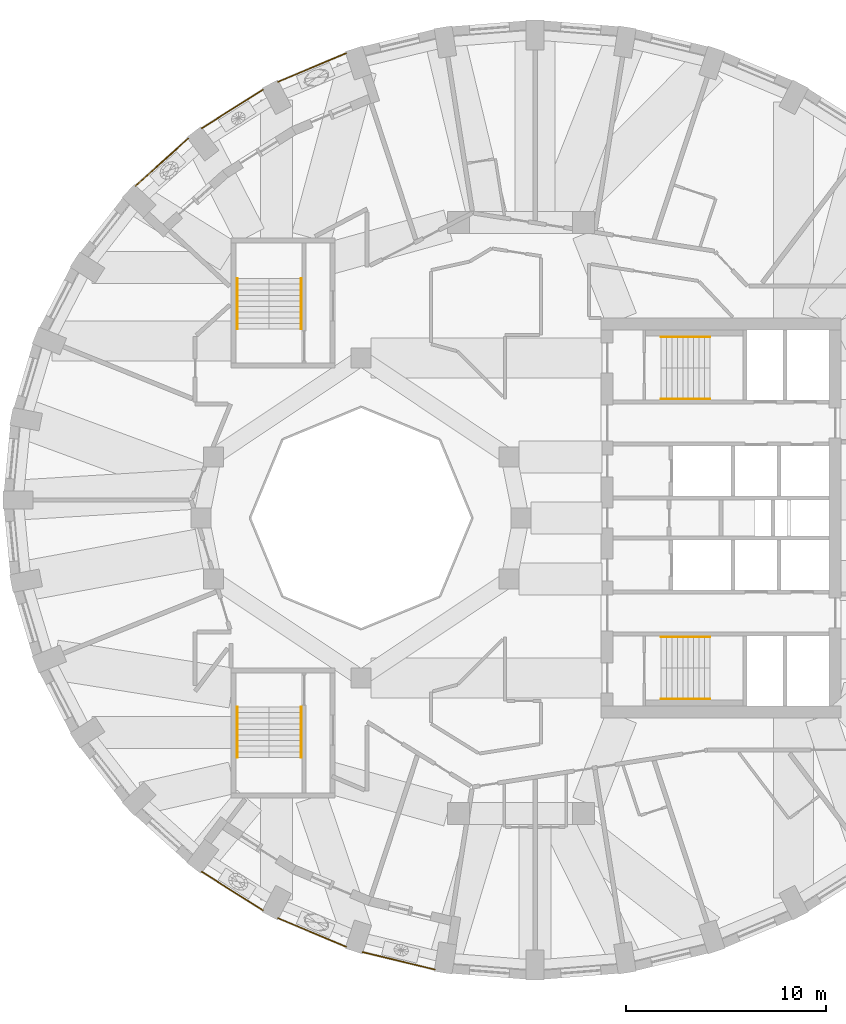
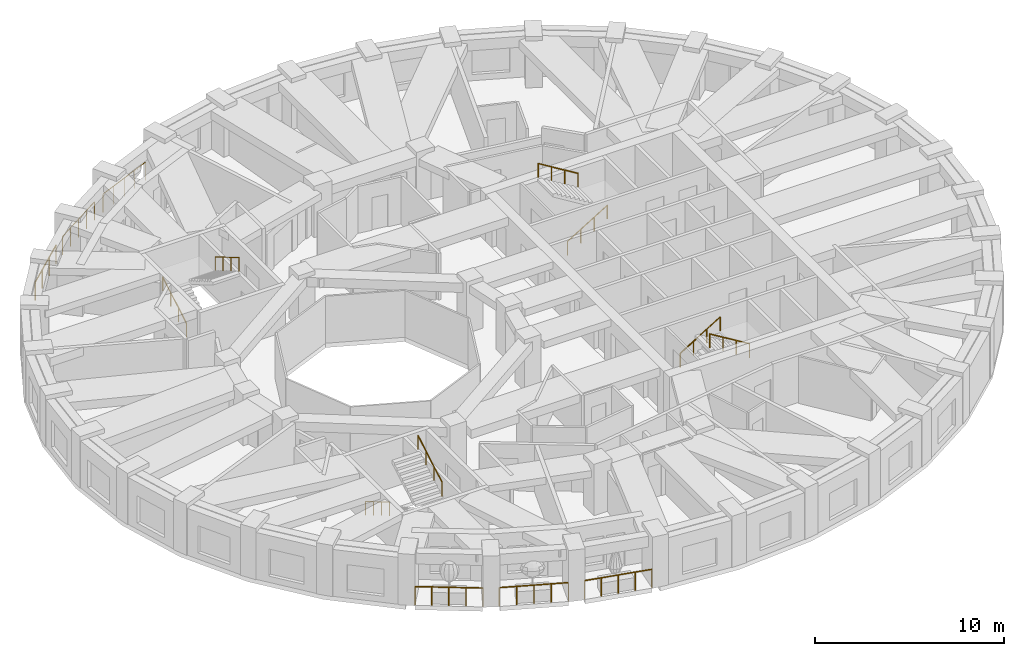
# One storey, part 10 of 12: 14 railings.
"""IFC4 building model written with IfcOpenShell, lengths in metres."""

import ifcopenshell
import ifcopenshell.guid

model = None  # the IFC model being written
_history = None  # IfcOwnerHistory: only IFC2X3 demands one
_inside = {}  # id of a spatial element -> (the spatial element, [elements in it])
_under = {}  # id of a project, library or spatial element -> (it, [spatial elements below it])
_declared = {}  # id of a project -> (the project, [libraries it declares])
_typed = {}  # id of a type object -> (the type object, [elements of that type])
_made_of = {}  # id of a material, layer set ... -> (it, [elements and type objects made of it])


def new_model(schema):
    """Start an empty IFC model of exactly this schema.

    Asked for "IFC4X3", IfcOpenShell would pick the latest addendum, in which some entities
    have other attributes; the version numbers below select the first issue.
    IFC2X3 requires an IfcOwnerHistory on every rooted entity: one is made here for all.
    """
    global model, _history
    if schema == "IFC4X3":
        model = ifcopenshell.file(schema_version=(4, 3, 0, 0))
    else:
        model = ifcopenshell.file(schema=schema)
    _inside.clear()
    _under.clear()
    _declared.clear()
    _typed.clear()
    _made_of.clear()
    _history = None
    if model.schema == "IFC2X3":
        org = make("IfcOrganization", Name="unknown")
        user = make(
            "IfcPersonAndOrganization",
            ThePerson=make("IfcPerson", FamilyName="unknown"),
            TheOrganization=org,
        )
        app = make(
            "IfcApplication",
            ApplicationDeveloper=org,
            Version="unknown",
            ApplicationFullName="unknown",
            ApplicationIdentifier="unknown",
        )
        _history = make(
            "IfcOwnerHistory",
            OwningUser=user,
            OwningApplication=app,
            ChangeAction="ADDED",
            CreationDate=0,
        )
    return model


def make(cls, **values):
    """One entity of the class cls with the attributes given. An attribute that is None is left unset."""
    return model.create_entity(
        cls, **{name: value for name, value in values.items() if value is not None}
    )


def rooted(cls, **values):
    """An entity with a GlobalId (a new one), such as an element, a storey or a relation."""
    return make(cls, GlobalId=ifcopenshell.guid.new(), OwnerHistory=_history, **values)


def si_unit(unit_type, name, prefix=None):
    """IfcSIUnit, for example si_unit("LENGTHUNIT", "METRE", prefix="MILLI")."""
    return make("IfcSIUnit", UnitType=unit_type, Prefix=prefix, Name=name)


def assignment(units):
    """IfcUnitAssignment: the units of a project."""
    return None if units is None else make("IfcUnitAssignment", Units=units)


def point(xyz):
    """IfcCartesianPoint."""
    return None if xyz is None else make("IfcCartesianPoint", Coordinates=xyz)


def direction(xyz):
    """IfcDirection."""
    return None if xyz is None else make("IfcDirection", DirectionRatios=xyz)


def frame(location, z_axis=None, x_axis=None):
    """IfcAxis2Placement3D, a coordinate frame: its origin and axes. An axis left out is left unset."""
    return make(
        "IfcAxis2Placement3D",
        Location=point(location),
        Axis=direction(z_axis),
        RefDirection=direction(x_axis),
    )


def frame_2d(location, x_axis=None):
    """IfcAxis2Placement2D, a coordinate frame in the plane: its origin and x axis."""
    return make(
        "IfcAxis2Placement2D", Location=point(location), RefDirection=direction(x_axis)
    )


def origin():
    """The frame at (0, 0, 0) with its axes left unset."""
    return frame((0.0, 0.0, 0.0))


def origin_2d():
    """The frame at (0, 0) in the plane with its x axis left unset."""
    return frame_2d((0.0, 0.0))


def place(relative_to, where):
    """IfcLocalPlacement: puts the frame where relative to a parent placement (None: the world)."""
    return make(
        "IfcLocalPlacement", PlacementRelTo=relative_to, RelativePlacement=where
    )


def context(
    kind, dimensions, precision=None, world=None, true_north=None, identifier=None
):
    """IfcGeometricRepresentationContext, for example the 3D "Model" context."""
    return make(
        "IfcGeometricRepresentationContext",
        ContextIdentifier=identifier,
        ContextType=kind,
        CoordinateSpaceDimension=dimensions,
        Precision=precision,
        WorldCoordinateSystem=world,
        TrueNorth=true_north,
    )


def subcontext(parent, identifier, kind, view, scale=None):
    """IfcGeometricRepresentationSubContext, for example "Body" below "Model"."""
    return make(
        "IfcGeometricRepresentationSubContext",
        ContextIdentifier=identifier,
        ContextType=kind,
        ParentContext=parent,
        TargetScale=scale,
        TargetView=view,
    )


def project(units=None, contexts=None):
    """IfcProject with its units and contexts."""
    return rooted(
        "IfcProject",
        Name="project",
        RepresentationContexts=contexts,
        UnitsInContext=assignment(units),
    )


def spatial(cls, under=None, at=None, **own):
    """A site, building, storey or space (cls), placed at a placement, below another one or the project."""
    s = rooted(cls, ObjectPlacement=at, **own)
    if under is not None:
        _under.setdefault(under.id(), (under, []))[1].append(s)
    return s


def profile(cls, at=None, kind="AREA", **sizes):
    """A parametric profile (cls). Its sizes go by their IFC names, for example OverallWidth=200.0."""
    return make(cls, ProfileType=kind, Position=at, **sizes)


def circle(**sizes):
    """IfcCircleProfileDef."""
    return profile("IfcCircleProfileDef", **sizes)


def extrude(swept, where, along, depth):
    """IfcExtrudedAreaSolid: the profile swept, set in the frame where, extruded along a direction by depth."""
    return make(
        "IfcExtrudedAreaSolid",
        SweptArea=swept,
        Position=where,
        ExtrudedDirection=direction(along),
        Depth=depth,
    )


def shape(context_of_items, identifier, shape_type, items):
    """IfcShapeRepresentation: the items that make up one representation, for example the "Body"."""
    return make(
        "IfcShapeRepresentation",
        ContextOfItems=context_of_items,
        RepresentationIdentifier=identifier,
        RepresentationType=shape_type,
        Items=items,
    )


def material(Name=None, Category=None):
    """IfcMaterial."""
    return make("IfcMaterial", Name=Name, Category=Category)


def made_of(thing, what):
    """Note that an element or type object is made of a material, layer set ...; save() writes the relation."""
    if what is not None:
        _made_of.setdefault(what.id(), (what, []))[1].append(thing)
    return thing


def type_object(cls, material=None, **own):
    """A type object (cls), such as IfcWallType, which elements share."""
    return made_of(rooted(cls, **own), material)


def element(
    cls,
    number,
    at=None,
    inside=None,
    cuts=None,
    type_object=None,
    material=None,
    context=None,
    identifier="Body",
    shape_type=None,
    held_by="IfcProductDefinitionShape",
    body=None,
    shapes=None,
    **own,
):
    """One element of the class cls, such as IfcWall. Its Tag is "e" and its number.

    at: its placement. inside: the storey or other place that contains it. cuts: it is an
    opening in that element (IfcRelVoidsElement). A single representation is given by context,
    identifier, shape_type and body (its items); several are given by shapes. held_by: the class
    of the entity that holds the representations. save() writes the other relations.
    """
    e = rooted(cls, Tag="e%d" % number, ObjectPlacement=at, **own)
    if body is not None:
        shapes = [shape(context, identifier, shape_type, body)]
    if shapes is not None:
        e.Representation = make(held_by, Representations=shapes)
    if inside is not None:
        _inside.setdefault(inside.id(), (inside, []))[1].append(e)
    if cuts is not None:
        rooted(
            "IfcRelVoidsElement", RelatingBuildingElement=cuts, RelatedOpeningElement=e
        )
    if type_object is not None:
        _typed.setdefault(type_object.id(), (type_object, []))[1].append(e)
    return made_of(e, material)


def aggregate(whole, parts):
    """IfcRelAggregates: a whole, such as a stair, and the parts it consists of."""
    return rooted("IfcRelAggregates", RelatingObject=whole, RelatedObjects=parts)


def save(model, path):
    """Write the relations noted so far, then the file.

    IfcRelAggregates (storeys below a building ...), IfcRelContainedInSpatialStructure (elements
    in a storey), IfcRelDefinesByType, IfcRelAssociatesMaterial and IfcRelDeclares: one each for
    every whole, place, type object, material and project.
    """
    for whole, parts in _under.values():
        aggregate(whole, parts)
    for where, things in _inside.values():
        rooted(
            "IfcRelContainedInSpatialStructure",
            RelatedElements=things,
            RelatingStructure=where,
        )
    for kind, things in _typed.values():
        rooted("IfcRelDefinesByType", RelatedObjects=things, RelatingType=kind)
    for what, things in _made_of.values():
        rooted("IfcRelAssociatesMaterial", RelatedObjects=things, RelatingMaterial=what)
    for by, libraries in _declared.values():
        rooted("IfcRelDeclares", RelatingContext=by, RelatedDefinitions=libraries)
    model.write(path)


model = new_model("IFC4")

# Units and contexts
model_context = context("Model", 3, precision=1e-05, world=origin(), true_north=direction((0.0, 1.0)))
body_context = subcontext(model_context, "Body", "Model", "MODEL_VIEW")
ifc_project = project(units=[si_unit("LENGTHUNIT", "METRE"), si_unit("AREAUNIT", "SQUARE_METRE"), si_unit("VOLUMEUNIT", "CUBIC_METRE"), si_unit("PLANEANGLEUNIT", "RADIAN"), si_unit("MASSUNIT", "GRAM", prefix="KILO")], contexts=[model_context])

# Site, building, storey
site_placement = place(None, origin())
site = spatial("IfcSite", under=ifc_project, at=site_placement, CompositionType="ELEMENT")
building_placement = place(site_placement, origin())
building = spatial("IfcBuilding", under=site, at=building_placement, Name="Taillehof Tower", CompositionType="ELEMENT")
storey_placement = place(building_placement, frame((0.0, 0.0, 212.300048828125)))
storey = spatial("IfcBuildingStorey", under=building, at=storey_placement, Name="L60", CompositionType="ELEMENT", Elevation=212.300048828125)

# Railings
ifc_material_1 = material(Name="Stainless steel balustrade", Category="steel")
railing_type_1 = type_object("IfcRailingType", Name="Balcony guard 1200", PredefinedType="GUARDRAIL", material=ifc_material_1)
railing_1_placement = place(storey_placement, frame((-15.967041015625, -17.6904296875, 0.0)))
element("IfcRailing", 1, at=railing_1_placement, inside=storey, type_object=railing_type_1, Name="Balcony guard L60 bay 24", PredefinedType="GUARDRAIL", context=body_context, shape_type="SweptSolid", body=[
    extrude(circle(Radius=0.02392578125, at=origin_2d()), frame((0.0, 0.0, 1.17578125), z_axis=(0.846122283453, -0.532988819249, 0.0), x_axis=(0.532988819249, 0.846122283453, 0.0)), (0.0, 0.0, 1.0), 3.614501953125),
    extrude(circle(Radius=0.02099609375, at=origin_2d()), origin(), (0.0, 0.0, 1.0), 1.15185546875),
    extrude(circle(Radius=0.02099609375, at=origin_2d()), frame((0.7646484375, -0.481689453125, 0.0)), (0.0, 0.0, 1.0), 1.15185546875),
    extrude(circle(Radius=0.02099609375, at=origin_2d()), frame((1.529296875, -0.96337890625, 0.0)), (0.0, 0.0, 1.0), 1.15185546875),
    extrude(circle(Radius=0.02099609375, at=origin_2d()), frame((2.293701171875, -1.44482421875, 0.0)), (0.0, 0.0, 1.0), 1.15185546875),
    extrude(circle(Radius=0.02099609375, at=origin_2d()), frame((3.058349609375, -1.926513671875, 0.0)), (0.0, 0.0, 1.0), 1.15185546875),
])
railing_2_placement = place(storey_placement, frame((-12.145751953125, -20.013671875, 0.0)))
element("IfcRailing", 2, at=railing_2_placement, inside=storey, type_object=railing_type_1, Name="Balcony guard L60 bay 25", PredefinedType="GUARDRAIL", context=body_context, shape_type="SweptSolid", body=[
    extrude(circle(Radius=0.02392578125, at=origin_2d()), frame((0.0, 0.0, 1.17578125), z_axis=(0.922153135678, -0.386825017752, 0.0), x_axis=(0.386825017752, 0.922153135678, 0.0)), (0.0, 0.0, 1.0), 3.677734375),
    extrude(circle(Radius=0.02099609375, at=origin_2d()), origin(), (0.0, 0.0, 1.0), 1.15185546875),
    extrude(circle(Radius=0.02099609375, at=origin_2d()), frame((0.847900390625, -0.355712890625, 0.0)), (0.0, 0.0, 1.0), 1.15185546875),
    extrude(circle(Radius=0.02099609375, at=origin_2d()), frame((1.69580078125, -0.71142578125, 0.0)), (0.0, 0.0, 1.0), 1.15185546875),
    extrude(circle(Radius=0.02099609375, at=origin_2d()), frame((2.54345703125, -1.06689453125, 0.0)), (0.0, 0.0, 1.0), 1.15185546875),
    extrude(circle(Radius=0.02099609375, at=origin_2d()), frame((3.391357421875, -1.422607421875, 0.0)), (0.0, 0.0, 1.0), 1.15185546875),
])
railing_3_placement = place(storey_placement, frame((-7.93701171875, -21.704345703125, 0.0)))
element("IfcRailing", 3, at=railing_3_placement, inside=storey, type_object=railing_type_1, Name="Balcony guard L60 bay 26", PredefinedType="GUARDRAIL", context=body_context, shape_type="SweptSolid", body=[
    extrude(circle(Radius=0.02392578125, at=origin_2d()), frame((0.0, 0.0, 1.17578125), z_axis=(0.972163104093, -0.234305140875, 0.0), x_axis=(0.234305140875, 0.972163104093, 0.0)), (0.0, 0.0, 1.0), 3.72412109375),
    extrude(circle(Radius=0.02099609375, at=origin_2d()), origin(), (0.0, 0.0, 1.0), 1.15185546875),
    extrude(circle(Radius=0.02099609375, at=origin_2d()), frame((0.905029296875, -0.21826171875, 0.0)), (0.0, 0.0, 1.0), 1.15185546875),
    extrude(circle(Radius=0.02099609375, at=origin_2d()), frame((1.81005859375, -0.436279296875, 0.0)), (0.0, 0.0, 1.0), 1.15185546875),
    extrude(circle(Radius=0.02099609375, at=origin_2d()), frame((2.71533203125, -0.654296875, 0.0)), (0.0, 0.0, 1.0), 1.15185546875),
    extrude(circle(Radius=0.02099609375, at=origin_2d()), frame((3.620361328125, -0.87255859375, 0.0)), (0.0, 0.0, 1.0), 1.15185546875),
])
railing_4_placement = place(storey_placement, frame((-8.75439453125, 23.236328125, 0.0)))
element("IfcRailing", 4, at=railing_4_placement, inside=storey, type_object=railing_type_1, Name="Balcony guard L60 bay 12", PredefinedType="GUARDRAIL", context=body_context, shape_type="SweptSolid", body=[
    extrude(circle(Radius=0.02392578125, at=origin_2d()), frame((0.0, 0.0, 1.17578125), z_axis=(-0.922153135678, -0.386825017752, 0.0), x_axis=(0.386825017752, -0.922153135678, 0.0)), (0.0, 0.0, 1.0), 3.677734375),
    extrude(circle(Radius=0.02099609375, at=origin_2d()), origin(), (0.0, 0.0, 1.0), 1.15185546875),
    extrude(circle(Radius=0.02099609375, at=origin_2d()), frame((-0.847900390625, -0.355712890625, 0.0)), (0.0, 0.0, 1.0), 1.15185546875),
    extrude(circle(Radius=0.02099609375, at=origin_2d()), frame((-1.69580078125, -0.71142578125, 0.0)), (0.0, 0.0, 1.0), 1.15185546875),
    extrude(circle(Radius=0.02099609375, at=origin_2d()), frame((-2.54345703125, -1.06689453125, 0.0)), (0.0, 0.0, 1.0), 1.15185546875),
    extrude(circle(Radius=0.02099609375, at=origin_2d()), frame((-3.391357421875, -1.422607421875, 0.0)), (0.0, 0.0, 1.0), 1.15185546875),
])
railing_5_placement = place(storey_placement, frame((-12.90869140625, 21.4169921875, 0.0)))
element("IfcRailing", 5, at=railing_5_placement, inside=storey, type_object=railing_type_1, Name="Balcony guard L60 bay 13", PredefinedType="GUARDRAIL", context=body_context, shape_type="SweptSolid", body=[
    extrude(circle(Radius=0.02392578125, at=origin_2d()), frame((0.0, 0.0, 1.17578125), z_axis=(-0.846122283453, -0.532988819249, 0.0), x_axis=(0.532988819249, -0.846122283453, 0.0)), (0.0, 0.0, 1.0), 3.614501953125),
    extrude(circle(Radius=0.02099609375, at=origin_2d()), origin(), (0.0, 0.0, 1.0), 1.15185546875),
    extrude(circle(Radius=0.02099609375, at=origin_2d()), frame((-0.7646484375, -0.481689453125, 0.0)), (0.0, 0.0, 1.0), 1.15185546875),
    extrude(circle(Radius=0.02099609375, at=origin_2d()), frame((-1.529296875, -0.96337890625, 0.0)), (0.0, 0.0, 1.0), 1.15185546875),
    extrude(circle(Radius=0.02099609375, at=origin_2d()), frame((-2.293701171875, -1.44482421875, 0.0)), (0.0, 0.0, 1.0), 1.15185546875),
    extrude(circle(Radius=0.02099609375, at=origin_2d()), frame((-3.058349609375, -1.926513671875, 0.0)), (0.0, 0.0, 1.0), 1.15185546875),
])
railing_6_placement = place(storey_placement, frame((-16.6533203125, 18.971923828125, 0.0)))
element("IfcRailing", 6, at=railing_6_placement, inside=storey, type_object=railing_type_1, Name="Balcony guard L60 bay 14", PredefinedType="GUARDRAIL", context=body_context, shape_type="SweptSolid", body=[
    extrude(circle(Radius=0.02392578125, at=origin_2d()), frame((0.0, 0.0, 1.17578125), z_axis=(-0.743448370075, -0.668793332079, 0.0), x_axis=(0.668793332079, -0.743448370075, 0.0)), (0.0, 0.0, 1.0), 3.541748046875),
    extrude(circle(Radius=0.02099609375, at=origin_2d()), origin(), (0.0, 0.0, 1.0), 1.15185546875),
    extrude(circle(Radius=0.02099609375, at=origin_2d()), frame((-0.877685546875, -0.78955078125, 0.0)), (0.0, 0.0, 1.0), 1.15185546875),
    extrude(circle(Radius=0.02099609375, at=origin_2d()), frame((-1.75537109375, -1.5791015625, 0.0)), (0.0, 0.0, 1.0), 1.15185546875),
    extrude(circle(Radius=0.02099609375, at=origin_2d()), frame((-2.633056640625, -2.36865234375, 0.0)), (0.0, 0.0, 1.0), 1.15185546875),
])
ifc_material_2 = material(Name="Stainless steel", Category="steel")
railing_type_2 = type_object("IfcRailingType", Name="Stair handrail 900", PredefinedType="HANDRAIL", material=ifc_material_2)
railing_7_placement = place(storey_placement, frame((7.0, 5.949951171875, 0.1650390625)))
element("IfcRailing", 7, at=railing_7_placement, inside=storey, type_object=railing_type_2, Name="Stair S1 handrail", PredefinedType="HANDRAIL", context=body_context, shape_type="SweptSolid", body=[
    extrude(circle(Radius=0.02392578125, at=origin_2d()), frame((0.0, 0.0, 0.8759765625), z_axis=(0.853296667938, 0.0, 0.521425734392), x_axis=(0.0, 1.0, 0.0)), (0.0, 0.0, 1.0), 2.84765625),
    extrude(circle(Radius=0.02099609375, at=origin_2d()), origin(), (0.0, 0.0, 1.0), 0.851806640625),
    extrude(circle(Radius=0.02099609375, at=origin_2d()), frame((0.81005859375, 0.0, 0.494873046875)), (0.0, 0.0, 1.0), 0.851806640625),
    extrude(circle(Radius=0.02099609375, at=origin_2d()), frame((1.619873046875, 0.0, 0.989990234375)), (0.0, 0.0, 1.0), 0.851806640625),
    extrude(circle(Radius=0.02099609375, at=origin_2d()), frame((2.429931640625, 0.0, 1.48486328125)), (0.0, 0.0, 1.0), 0.851806640625),
])
railing_8_placement = place(storey_placement, frame((9.429931640625, 9.050048828125, 1.81494140625)))
element("IfcRailing", 8, at=railing_8_placement, inside=storey, type_object=railing_type_2, Name="Stair S1 handrail", PredefinedType="HANDRAIL", context=body_context, shape_type="SweptSolid", body=[
    extrude(circle(Radius=0.02392578125, at=origin_2d()), frame((0.0, 0.0, 0.8759765625), z_axis=(-0.853258522278, 0.0, 0.521488153423), x_axis=(0.0, -1.0, 0.0)), (0.0, 0.0, 1.0), 2.847900390625),
    extrude(circle(Radius=0.02099609375, at=origin_2d()), origin(), (0.0, 0.0, 1.0), 0.851806640625),
    extrude(circle(Radius=0.02099609375, at=origin_2d()), frame((-0.81005859375, 0.0, 0.4951171875)), (0.0, 0.0, 1.0), 0.851806640625),
    extrude(circle(Radius=0.02099609375, at=origin_2d()), frame((-1.619873046875, 0.0, 0.989990234375)), (0.0, 0.0, 1.0), 0.851806640625),
    extrude(circle(Radius=0.02099609375, at=origin_2d()), frame((-2.429931640625, 0.0, 1.485107421875)), (0.0, 0.0, 1.0), 0.851806640625),
])
railing_9_placement = place(storey_placement, frame((7.0, -5.949951171875, 0.1650390625)))
element("IfcRailing", 9, at=railing_9_placement, inside=storey, type_object=railing_type_2, Name="Stair S2 handrail", PredefinedType="HANDRAIL", context=body_context, shape_type="SweptSolid", body=[
    extrude(circle(Radius=0.02392578125, at=origin_2d()), frame((0.0, 0.0, 0.8759765625), z_axis=(0.853296667938, 0.0, 0.521425734392), x_axis=(0.0, 1.0, 0.0)), (0.0, 0.0, 1.0), 2.84765625),
    extrude(circle(Radius=0.02099609375, at=origin_2d()), origin(), (0.0, 0.0, 1.0), 0.851806640625),
    extrude(circle(Radius=0.02099609375, at=origin_2d()), frame((0.81005859375, 0.0, 0.494873046875)), (0.0, 0.0, 1.0), 0.851806640625),
    extrude(circle(Radius=0.02099609375, at=origin_2d()), frame((1.619873046875, 0.0, 0.989990234375)), (0.0, 0.0, 1.0), 0.851806640625),
    extrude(circle(Radius=0.02099609375, at=origin_2d()), frame((2.429931640625, 0.0, 1.48486328125)), (0.0, 0.0, 1.0), 0.851806640625),
])
railing_10_placement = place(storey_placement, frame((9.429931640625, -9.050048828125, 1.81494140625)))
element("IfcRailing", 10, at=railing_10_placement, inside=storey, type_object=railing_type_2, Name="Stair S2 handrail", PredefinedType="HANDRAIL", context=body_context, shape_type="SweptSolid", body=[
    extrude(circle(Radius=0.02392578125, at=origin_2d()), frame((0.0, 0.0, 0.8759765625), z_axis=(-0.853258522278, 0.0, 0.521488153423), x_axis=(0.0, -1.0, 0.0)), (0.0, 0.0, 1.0), 2.847900390625),
    extrude(circle(Radius=0.02099609375, at=origin_2d()), origin(), (0.0, 0.0, 1.0), 0.851806640625),
    extrude(circle(Radius=0.02099609375, at=origin_2d()), frame((-0.81005859375, 0.0, 0.4951171875)), (0.0, 0.0, 1.0), 0.851806640625),
    extrude(circle(Radius=0.02099609375, at=origin_2d()), frame((-1.619873046875, 0.0, 0.989990234375)), (0.0, 0.0, 1.0), 0.851806640625),
    extrude(circle(Radius=0.02099609375, at=origin_2d()), frame((-2.429931640625, 0.0, 1.485107421875)), (0.0, 0.0, 1.0), 0.851806640625),
])
railing_11_placement = place(storey_placement, frame((-14.199951171875, 9.449951171875, 0.1650390625)))
element("IfcRailing", 11, at=railing_11_placement, inside=storey, type_object=railing_type_2, Name="Stair S3 handrail", PredefinedType="HANDRAIL", context=body_context, shape_type="SweptSolid", body=[
    extrude(circle(Radius=0.02392578125, at=origin_2d()), frame((0.0, 0.0, 0.8759765625), z_axis=(0.0, 0.861560626758, 0.507654692109), x_axis=(-1.0, 0.0, 0.0)), (0.0, 0.0, 1.0), 2.925048828125),
    extrude(circle(Radius=0.02099609375, at=origin_2d()), origin(), (0.0, 0.0, 1.0), 0.851806640625),
    extrude(circle(Radius=0.02099609375, at=origin_2d()), frame((0.0, 0.840087890625, 0.494873046875)), (0.0, 0.0, 1.0), 0.851806640625),
    extrude(circle(Radius=0.02099609375, at=origin_2d()), frame((0.0, 1.679931640625, 0.989990234375)), (0.0, 0.0, 1.0), 0.851806640625),
    extrude(circle(Radius=0.02099609375, at=origin_2d()), frame((0.0, 2.52001953125, 1.48486328125)), (0.0, 0.0, 1.0), 0.851806640625),
])
railing_12_placement = place(storey_placement, frame((-11.0, 11.969970703125, 1.81494140625)))
element("IfcRailing", 12, at=railing_12_placement, inside=storey, type_object=railing_type_2, Name="Stair S3 handrail", PredefinedType="HANDRAIL", context=body_context, shape_type="SweptSolid", body=[
    extrude(circle(Radius=0.02392578125, at=origin_2d()), frame((0.0, 0.0, 0.8759765625), z_axis=(0.0, -0.86152411907, 0.507716645641), x_axis=(1.0, 0.0, 0.0)), (0.0, 0.0, 1.0), 2.925048828125),
    extrude(circle(Radius=0.02099609375, at=origin_2d()), origin(), (0.0, 0.0, 1.0), 0.851806640625),
    extrude(circle(Radius=0.02099609375, at=origin_2d()), frame((0.0, -0.840087890625, 0.4951171875)), (0.0, 0.0, 1.0), 0.851806640625),
    extrude(circle(Radius=0.02099609375, at=origin_2d()), frame((0.0, -1.679931640625, 0.989990234375)), (0.0, 0.0, 1.0), 0.851806640625),
    extrude(circle(Radius=0.02099609375, at=origin_2d()), frame((0.0, -2.52001953125, 1.485107421875)), (0.0, 0.0, 1.0), 0.851806640625),
])
railing_13_placement = place(storey_placement, frame((-14.199951171875, -9.449951171875, 0.1650390625)))
element("IfcRailing", 13, at=railing_13_placement, inside=storey, type_object=railing_type_2, Name="Stair S4 handrail", PredefinedType="HANDRAIL", context=body_context, shape_type="SweptSolid", body=[
    extrude(circle(Radius=0.02392578125, at=origin_2d()), frame((0.0, 0.0, 0.8759765625), z_axis=(0.0, -0.861560626758, 0.507654692109), x_axis=(1.0, 0.0, 0.0)), (0.0, 0.0, 1.0), 2.925048828125),
    extrude(circle(Radius=0.02099609375, at=origin_2d()), origin(), (0.0, 0.0, 1.0), 0.851806640625),
    extrude(circle(Radius=0.02099609375, at=origin_2d()), frame((0.0, -0.840087890625, 0.494873046875)), (0.0, 0.0, 1.0), 0.851806640625),
    extrude(circle(Radius=0.02099609375, at=origin_2d()), frame((0.0, -1.679931640625, 0.989990234375)), (0.0, 0.0, 1.0), 0.851806640625),
    extrude(circle(Radius=0.02099609375, at=origin_2d()), frame((0.0, -2.52001953125, 1.48486328125)), (0.0, 0.0, 1.0), 0.851806640625),
])
railing_14_placement = place(storey_placement, frame((-11.0, -11.969970703125, 1.81494140625)))
element("IfcRailing", 14, at=railing_14_placement, inside=storey, type_object=railing_type_2, Name="Stair S4 handrail", PredefinedType="HANDRAIL", context=body_context, shape_type="SweptSolid", body=[
    extrude(circle(Radius=0.02392578125, at=origin_2d()), frame((0.0, 0.0, 0.8759765625), z_axis=(0.0, 0.86152411907, 0.507716645641), x_axis=(-1.0, 0.0, 0.0)), (0.0, 0.0, 1.0), 2.925048828125),
    extrude(circle(Radius=0.02099609375, at=origin_2d()), origin(), (0.0, 0.0, 1.0), 0.851806640625),
    extrude(circle(Radius=0.02099609375, at=origin_2d()), frame((0.0, 0.840087890625, 0.4951171875)), (0.0, 0.0, 1.0), 0.851806640625),
    extrude(circle(Radius=0.02099609375, at=origin_2d()), frame((0.0, 1.679931640625, 0.989990234375)), (0.0, 0.0, 1.0), 0.851806640625),
    extrude(circle(Radius=0.02099609375, at=origin_2d()), frame((0.0, 2.52001953125, 1.485107421875)), (0.0, 0.0, 1.0), 0.851806640625),
])

save(model, "model.ifc")
